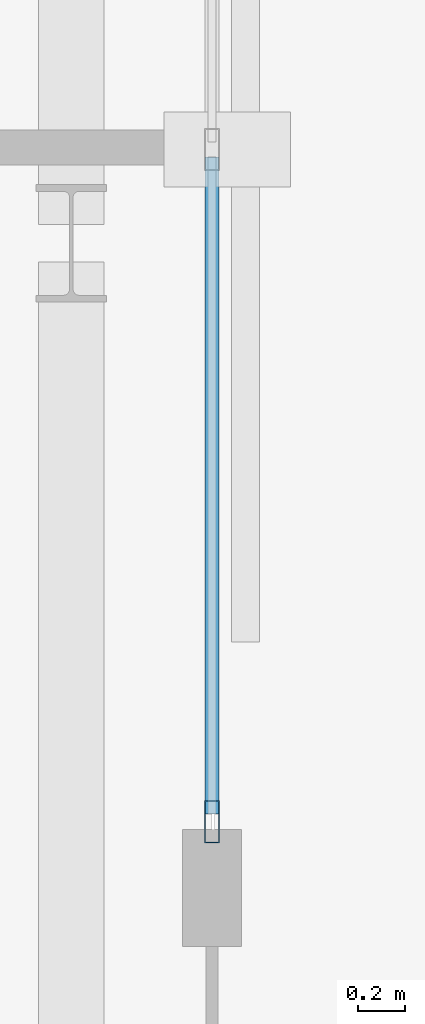
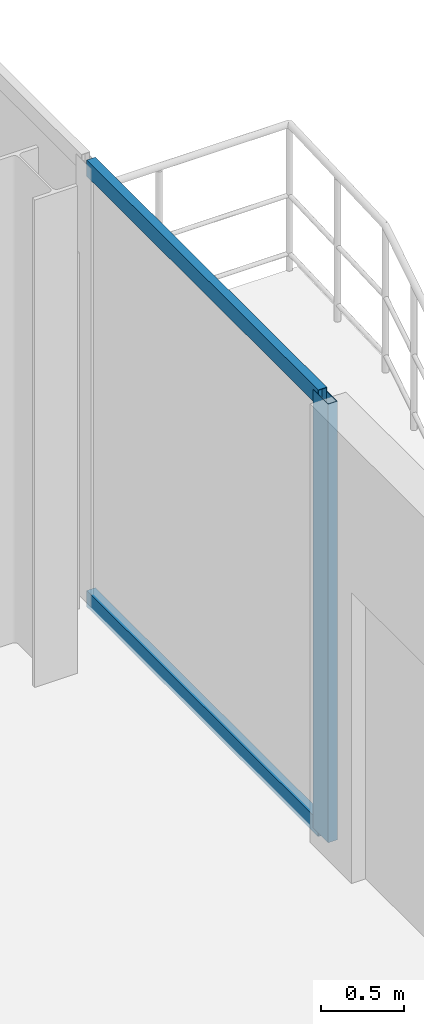
# One storey, part 14 of 23: 3 members, 1 element without a shape of its own.
"""IFC4 building model written with IfcOpenShell, lengths in metres."""

from ifc_helpers import new_model, si_unit, direction, frame, origin, origin_2d, place, context, subcontext, project, spatial, hollow_rectangle, extrude, material, layer, layer_set, material_profile, profile_set, type_object, element, aggregate, save


model = new_model("IFC4")

# Units and contexts
model_context = context("Model", 3, precision=1e-05, world=origin(), true_north=direction((0.0, 1.0)))
body_context = subcontext(model_context, "Body", "Model", "MODEL_VIEW")
ifc_project = project(units=[si_unit("LENGTHUNIT", "METRE"), si_unit("AREAUNIT", "SQUARE_METRE"), si_unit("VOLUMEUNIT", "CUBIC_METRE"), si_unit("PLANEANGLEUNIT", "RADIAN"), si_unit("MASSUNIT", "GRAM", prefix="KILO")], contexts=[model_context])

# Site, building, storey
site_placement = place(None, origin())
site = spatial("IfcSite", under=ifc_project, at=site_placement, CompositionType="ELEMENT")
building_placement = place(site_placement, origin())
building = spatial("IfcBuilding", under=site, at=building_placement, Name="Catumbela Crestline Tower", CompositionType="ELEMENT")
storey_placement = place(building_placement, frame((0.0, 0.0, 204.6)))
storey = spatial("IfcBuildingStorey", under=building, at=storey_placement, Name="L53", CompositionType="ELEMENT", Elevation=204.6)

# Curtain wall, members
ifc_material = material(Name="Aluminium alloy AW-6060-T66", Category="aluminium")
ifc_layer = layer(ifc_material, 0.18, Name="Aluminium alloy AW-6060-T66")
ifc_layer_set = layer_set([ifc_layer], Name="Aluminium alloy AW-6060-T66")
curtain_wall_type = type_object("IfcCurtainWallType", Name="CWU-Z3", PredefinedType="USERDEFINED", material=ifc_layer_set)
curtain_wall_placement = place(storey_placement, origin())
curtain_wall = element("IfcCurtainWall", 1, at=curtain_wall_placement, inside=storey, type_object=curtain_wall_type, Name="L53 Unitised Curtain Wall CW-L53-E5S2", ObjectType="UNITISED", PredefinedType="USERDEFINED")
ifc_material_profile_1 = material_profile(ifc_material, hollow_rectangle(XDim=0.065, YDim=0.18, WallThickness=0.004, at=origin_2d()), Name="ALU 180x65x4")
ifc_profile_set_1 = profile_set([ifc_material_profile_1], Name="Aluminium alloy AW-6060-T66")
member_type_1 = type_object("IfcMemberType", Name="MUL-180X65", PredefinedType="MULLION", material=ifc_profile_set_1)
member_1_placement = place(storey_placement, frame((51.0, 33.7325, 0.0), z_axis=(0.0, 0.0, 1.0), x_axis=(-1.0, 0.0, 0.0)))
member_1 = element("IfcMember", 2, at=member_1_placement, type_object=member_type_1, Name="CWU-Z3 mullion 1", PredefinedType="MULLION", context=body_context, shape_type="SweptSolid", body=[
    extrude(hollow_rectangle(XDim=0.065, YDim=0.18, WallThickness=0.004, at=origin_2d()), origin(), (0.0, 0.0, 1.0), 3.24),
])
ifc_material_profile_2 = material_profile(ifc_material, hollow_rectangle(XDim=0.06, YDim=0.12, WallThickness=0.0035, at=origin_2d()), Name="ALU 120x60x3.5")
ifc_profile_set_2 = profile_set([ifc_material_profile_2], Name="Aluminium alloy AW-6060-T66")
member_type_2 = type_object("IfcMemberType", Name="TRN-120X60", PredefinedType="USERDEFINED", material=ifc_profile_set_2)
member_2_placement = place(storey_placement, frame((51.0, 33.765, 0.03), z_axis=(0.0, 1.0, 0.0), x_axis=(-1.0, 0.0, 0.0)))
member_2 = element("IfcMember", 3, at=member_2_placement, type_object=member_type_2, Name="CWU-Z3 transom 1.1", ObjectType="TRANSOM", PredefinedType="USERDEFINED", context=body_context, shape_type="SweptSolid", body=[
    extrude(hollow_rectangle(XDim=0.06, YDim=0.12, WallThickness=0.0035, at=origin_2d()), origin(), (0.0, 0.0, 1.0), 2.8025),
])
member_3_placement = place(storey_placement, frame((51.0, 33.765, 3.21), z_axis=(0.0, 1.0, 0.0), x_axis=(-1.0, 0.0, 0.0)))
member_3 = element("IfcMember", 4, at=member_3_placement, type_object=member_type_2, Name="CWU-Z3 transom 1.2", ObjectType="TRANSOM", PredefinedType="USERDEFINED", context=body_context, shape_type="SweptSolid", body=[
    extrude(hollow_rectangle(XDim=0.06, YDim=0.12, WallThickness=0.0035, at=origin_2d()), origin(), (0.0, 0.0, 1.0), 2.8025),
])
aggregate(curtain_wall, [member_1, member_2, member_3])

save(model, "model.ifc")
